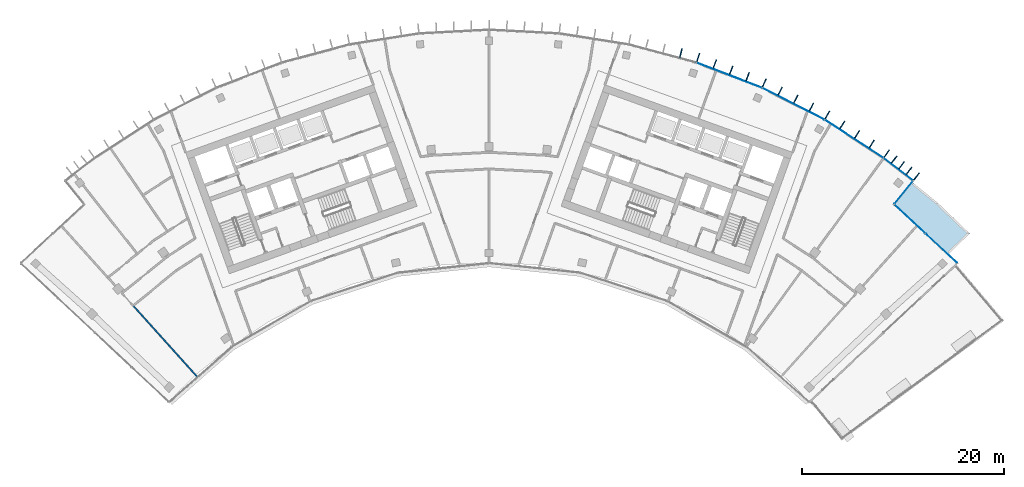
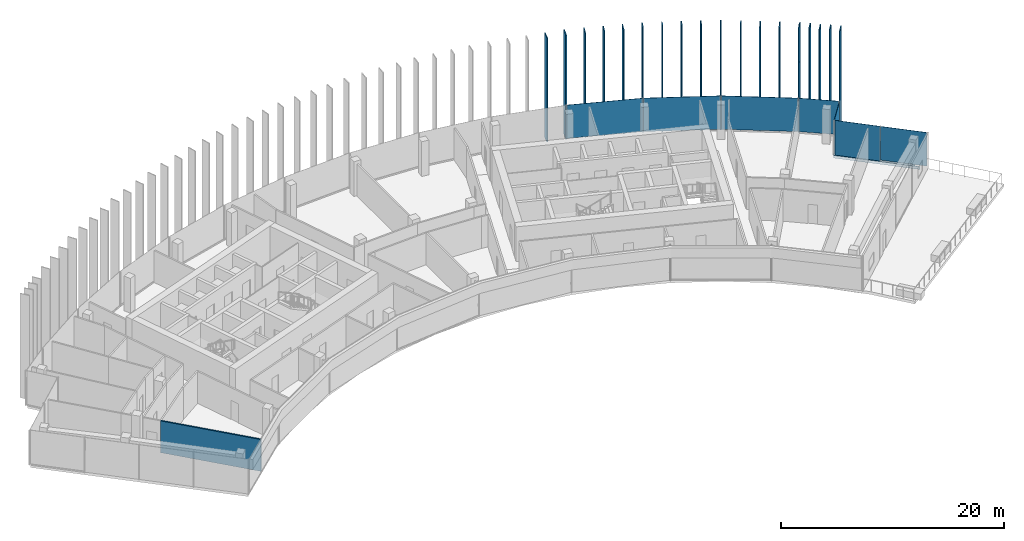
# One storey, part 12 of 19: 25 plates, 1 slab, 1 wall, 3 elements without a shape of their own.
"""IFC4 building model written with IfcOpenShell, lengths in metres."""

from ifc_helpers import new_model, si_unit, direction, frame, frame_2d, origin, origin_2d, place, context, subcontext, project, spatial, polyline, rectangle, outline, extrude, material, layer, layer_set, type_object, element, aggregate, save


model = new_model("IFC4")

# Units and contexts
model_context = context("Model", 3, precision=1e-05, world=origin(), true_north=direction((0.0, 1.0)))
body_context = subcontext(model_context, "Body", "Model", "MODEL_VIEW")
ifc_project = project(units=[si_unit("LENGTHUNIT", "METRE"), si_unit("AREAUNIT", "SQUARE_METRE"), si_unit("VOLUMEUNIT", "CUBIC_METRE"), si_unit("PLANEANGLEUNIT", "RADIAN"), si_unit("MASSUNIT", "GRAM", prefix="KILO")], contexts=[model_context])

# Site, building, storey
site_placement = place(None, origin())
site = spatial("IfcSite", under=ifc_project, at=site_placement, CompositionType="ELEMENT")
building_placement = place(site_placement, origin())
building = spatial("IfcBuilding", under=site, at=building_placement, Name="Stone Belt Terrace Tower", CompositionType="ELEMENT")
storey_placement = place(building_placement, frame((0.0, 0.0, 258.0)))
storey = spatial("IfcBuildingStorey", under=building, at=storey_placement, Name="L62", CompositionType="ELEMENT", Elevation=258.0)

# Curtain wall, plates
ifc_material_1 = material(Name="Aluminium 6063-T6 anodised frame", Category="aluminium")
ifc_layer_1 = layer(ifc_material_1, 0.14990234375)
ifc_layer_set_1 = layer_set([ifc_layer_1], Name="CW-A unitised convex-face curtain wall")
curtain_wall_type_1 = type_object("IfcCurtainWallType", Name="CW-A unitised convex-face curtain wall", PredefinedType="NOTDEFINED", material=ifc_layer_set_1)
curtain_wall_1_placement = place(storey_placement, origin())
curtain_wall_1 = element("IfcCurtainWall", 1, at=curtain_wall_1_placement, inside=storey, type_object=curtain_wall_type_1, Name="CW-A convex face L62", PredefinedType="NOTDEFINED")
ifc_material_2 = material(Name="Clear double glazed unit")
ifc_layer_2 = layer(ifc_material_2, 0.031982421875)
ifc_layer_set_2 = layer_set([ifc_layer_2], Name="CW-A glass panel 32")
plate_type_1 = type_object("IfcPlateType", Name="CW-A glass panel 32", PredefinedType="CURTAIN_PANEL", material=ifc_layer_set_2)
plate_1_placement = place(storey_placement, frame((40.583251953125, 52.744140625, 0.14013671875), z_axis=(0.0, 0.0, 1.0), x_axis=(-0.792693871824, 0.60961990254, 0.0)))
plate_1 = element("IfcPlate", 2, at=plate_1_placement, type_object=plate_type_1, Name="CW-A panel 1.1", PredefinedType="CURTAIN_PANEL", context=body_context, shape_type="SweptSolid", body=[
    extrude(rectangle(XDim=3.597900390625, YDim=0.031982421875, at=origin_2d()), origin(), (0.0, 0.0, 1.0), 3.659912109375),
])
plate_2_placement = place(storey_placement, frame((36.209716796875, 55.758056640625, 0.14013671875), z_axis=(0.0, 0.0, 1.0), x_axis=(-0.838670567945, 0.544639035015, 0.0)))
plate_2 = element("IfcPlate", 3, at=plate_2_placement, type_object=plate_type_1, Name="CW-A panel 2.1", PredefinedType="CURTAIN_PANEL", context=body_context, shape_type="SweptSolid", body=[
    extrude(rectangle(XDim=6.900634765625, YDim=0.031982421875, at=origin_2d()), origin(), (0.0, 0.0, 1.0), 3.659912109375),
])
plate_3_placement = place(storey_placement, frame((30.18310546875, 59.237548828125, 0.14013671875), z_axis=(0.0, 0.0, 1.0), x_axis=(-0.891006524188, 0.45399049974, 0.0)))
plate_3 = element("IfcPlate", 4, at=plate_3_placement, type_object=plate_type_1, Name="CW-A panel 3.1", PredefinedType="CURTAIN_PANEL", context=body_context, shape_type="SweptSolid", body=[
    extrude(rectangle(XDim=6.90087890625, YDim=0.031982421875, at=origin_2d()), origin(), (0.0, 0.0, 1.0), 3.659912109375),
])
plate_4_placement = place(storey_placement, frame((23.82568359375, 62.068115234375, 0.14013671875), z_axis=(0.0, 0.0, 1.0), x_axis=(-0.933580426497, 0.358367949545, 0.0)))
plate_4 = element("IfcPlate", 5, at=plate_4_placement, type_object=plate_type_1, Name="CW-A panel 4.1", PredefinedType="CURTAIN_PANEL", context=body_context, shape_type="SweptSolid", body=[
    extrude(rectangle(XDim=6.90087890625, YDim=0.031982421875, at=origin_2d()), origin(), (0.0, 0.0, 1.0), 3.659912109375),
])
aggregate(curtain_wall_1, [plate_1, plate_2, plate_3, plate_4])

ifc_layer_3 = layer(ifc_material_1, 0.14990234375)
ifc_layer_set_3 = layer_set([ifc_layer_3], Name="CW-C stick curtain wall, horn ends and notches")
curtain_wall_type_2 = type_object("IfcCurtainWallType", Name="CW-C stick curtain wall, horn ends and notches", PredefinedType="NOTDEFINED", material=ifc_layer_set_3)
curtain_wall_2_placement = place(storey_placement, origin())
curtain_wall_2 = element("IfcCurtainWall", 6, at=curtain_wall_2_placement, inside=storey, type_object=curtain_wall_type_2, Name="CW-C notch face L62", PredefinedType="NOTDEFINED")
ifc_layer_4 = layer(ifc_material_2, 0.028076171875)
ifc_layer_set_4 = layer_set([ifc_layer_4], Name="CW-C glass panel 28")
plate_type_2 = type_object("IfcPlateType", Name="CW-C glass panel 28", PredefinedType="CURTAIN_PANEL", material=ifc_layer_set_4)
plate_5_placement = place(storey_placement, frame((44.8427734375, 44.91259765625, 0.1201171875), z_axis=(0.0, 0.0, 1.0), x_axis=(-0.731339333871, 0.682013767261, 0.0)))
plate_5 = element("IfcPlate", 7, at=plate_5_placement, type_object=plate_type_2, Name="CW-C panel 1.1", PredefinedType="CURTAIN_PANEL", context=body_context, shape_type="SweptSolid", body=[
    extrude(rectangle(XDim=4.268798828125, YDim=0.028076171875, at=origin_2d()), origin(), (0.0, 0.0, 1.0), 3.679931640625),
])
plate_6_placement = place(storey_placement, frame((41.731201171875, 47.814208984375, 0.0), z_axis=(0.0, 0.0, 1.0), x_axis=(-0.731339333871, 0.682013767261, 0.0)))
plate_6 = element("IfcPlate", 8, at=plate_6_placement, type_object=plate_type_2, Name="CW-C panel 2.1", PredefinedType="CURTAIN_PANEL", context=body_context, shape_type="SweptSolid", body=[
    extrude(rectangle(XDim=4.12060546875, YDim=0.028076171875, at=origin_2d()), origin(), (0.0, 0.0, 1.0), 3.800048828125),
])
aggregate(curtain_wall_2, [plate_5, plate_6])

# Curtain wall, plate
curtain_wall_3_placement = place(storey_placement, origin())
curtain_wall_3 = element("IfcCurtainWall", 9, at=curtain_wall_3_placement, inside=storey, type_object=curtain_wall_type_2, Name="CW-C notch face L62", PredefinedType="NOTDEFINED")
plate_7_placement = place(storey_placement, frame((41.119140625, 50.43505859375, 0.1201171875), z_axis=(0.0, 0.0, 1.0), x_axis=(0.631001485542, 0.775781622136, 0.0)))
plate_7 = element("IfcPlate", 10, at=plate_7_placement, type_object=plate_type_2, Name="CW-C panel 1.1", PredefinedType="CURTAIN_PANEL", context=body_context, shape_type="SweptSolid", body=[
    extrude(rectangle(XDim=2.859130859375, YDim=0.028076171875, at=origin_2d()), origin(), (0.0, 0.0, 1.0), 3.679931640625),
])
aggregate(curtain_wall_3, [plate_7])

# Slab
ifc_material_3 = material(Name="Concrete B40", Category="concrete")
ifc_layer_5 = layer(ifc_material_3, 0.300048828125)
ifc_layer_set_5 = layer_set([ifc_layer_5], Name="Terrace slab 300 B40")
slab_type = type_object("IfcSlabType", Name="Terrace slab 300 B40", PredefinedType="FLOOR", material=ifc_layer_set_5)
slab_placement = place(storey_placement, frame((0.0, 0.0, -0.300048828125)))
element("IfcSlab", 11, at=slab_placement, inside=storey, type_object=slab_type, Name="Terrace slab L62-notch_roof-2", PredefinedType="FLOOR", context=body_context, shape_type="SweptSolid", body=[
    extrude(outline(polyline([(44.497314453125, 49.419189453125), (41.904296875, 51.518798828125), (40.068603515625, 49.26220703125), (45.8896484375, 43.83349609375), (45.891845703125, 43.835693359375), (45.51708984375, 44.277099609375), (47.66748046875, 46.368896484375), (44.497314453125, 49.419189453125)])), origin(), (0.0, 0.0, 1.0), 0.300048828125),
])

# Plates
ifc_material_4 = material(Name="Terracotta coloured glazed ceramic", Category="masonry")
ifc_layer_6 = layer(ifc_material_4, 0.10009765625)
ifc_layer_set_6 = layer_set([ifc_layer_6], Name="Terracotta fin 100 x 900")
plate_type_3 = type_object("IfcPlateType", Name="Terracotta fin 100 x 900", PredefinedType="SHEET", material=ifc_layer_set_6)
for number, where, z_axis, x_axis, name in (
    (12, (42.388427734375, 52.01806640625, 0.0), (0.0, 0.0, 1.0), (0.60961990254, 0.792693871824, 0.0), "FIN L62 1.1"),
    (13, (41.654052734375, 52.582763671875, 0.0), (0.0, 0.0, 1.0), (0.60961990254, 0.792693871824, 0.0), "FIN L62 1.2"),
    (14, (40.919677734375, 53.147705078125, 0.0), (0.0, 0.0, 1.0), (0.60961990254, 0.792693871824, 0.0), "FIN L62 1.3"),
    (15, (40.185546875, 53.71240234375, 0.0), (0.0, 0.0, 1.0), (0.60961990254, 0.792693871824, 0.0), "FIN L62 1.4"),
    (16, (39.434326171875, 54.28955078125, 0.0), (0.0, 0.0, 1.0), (0.577587125789, 0.816329046477, 0.0), "FIN L62 2.1"),
    (17, (37.9560546875, 55.25, 0.0), (0.0, 0.0, 1.0), (0.544639035015, 0.838670567945, 0.0), "FIN L62 2.2"),
    (18, (36.495361328125, 56.19873046875, 0.0), (0.0, 0.0, 1.0), (0.544639035015, 0.838670567945, 0.0), "FIN L62 2.3"),
    (19, (35.034423828125, 57.147216796875, 0.0), (0.0, 0.0, 1.0), (0.544639035015, 0.838670567945, 0.0), "FIN L62 2.4"),
    (20, (33.550048828125, 58.1103515625, 0.0), (0.0, 0.0, 1.0), (0.5, 0.866025403784, 0.0), "FIN L62 3.1"),
    (21, (31.9736328125, 58.914306640625, 0.0), (0.0, 0.0, 1.0), (0.45399049974, 0.891006524188, 0.0), "FIN L62 3.2"),
    (22, (30.42138671875, 59.705322265625, 0.0), (0.0, 0.0, 1.0), (0.45399049974, 0.891006524188, 0.0), "FIN L62 3.3"),
    (23, (28.869140625, 60.496337890625, 0.0), (0.0, 0.0, 1.0), (0.45399049974, 0.891006524188, 0.0), "FIN L62 3.4"),
    (24, (27.2919921875, 61.299072265625, 0.0), (0.0, 0.0, 1.0), (0.406736643076, 0.913545457643, 0.0), "FIN L62 4.1"),
    (25, (25.64013671875, 61.933837890625, 0.0), (0.0, 0.0, 1.0), (0.358367949545, 0.933580426497, 0.0), "FIN L62 4.2"),
    (26, (24.013916015625, 62.55810546875, 0.0), (0.0, 0.0, 1.0), (0.358367949545, 0.933580426497, 0.0), "FIN L62 4.3"),
    (27, (22.387451171875, 63.182373046875, 0.0), (0.0, 0.0, 1.0), (0.358367949545, 0.933580426497, 0.0), "FIN L62 4.4"),
    (28, (20.735107421875, 63.81591796875, 0.0), (0.0, 0.0, 1.0), (0.309016994375, 0.951056516295, 0.0), "FIN L62 5.1"),
    (29, (19.02587890625, 64.274658203125, 0.0), (0.0, 0.0, 1.0), (0.258819045103, 0.965925826289, 0.0), "FIN L62 5.2"),
):
    element("IfcPlate", number, at=place(storey_placement, frame(where, z_axis=z_axis, x_axis=x_axis)), inside=storey, type_object=plate_type_3, Name=name, PredefinedType="SHEET", context=body_context, shape_type="SweptSolid", body=[
        extrude(rectangle(XDim=0.89990234375, YDim=0.10009765625, at=origin_2d()), origin(), (0.0, 0.0, 1.0), 11.39990234375),
    ])

# Wall
ifc_material_5 = material(Name="Gypsum board partition")
ifc_layer_7 = layer(ifc_material_5, 0.14990234375)
ifc_layer_set_7 = layer_set([ifc_layer_7], Name="PARTITION 150 EI 60")
wall_type = type_object("IfcWallType", Name="PARTITION 150 EI 60", PredefinedType="PARTITIONING", material=ifc_layer_set_7)
wall_placement = place(storey_placement, frame((-35.31689453125, 39.222900390625, 0.0), z_axis=(0.0, 0.0, 1.0), x_axis=(0.669104250509, -0.743168555545, 0.0)))
element("IfcWall", 30, at=wall_placement, inside=storey, type_object=wall_type, Name="L62/wall/i040", PredefinedType="PARTITIONING", context=body_context, shape_type="SweptSolid", body=[
    extrude(rectangle(XDim=9.4736328125, YDim=0.14990234375, at=frame_2d((4.73681640625, 0.0))), origin(), (0.0, 0.0, 1.0), 3.47998046875),
])

save(model, "model.ifc")
